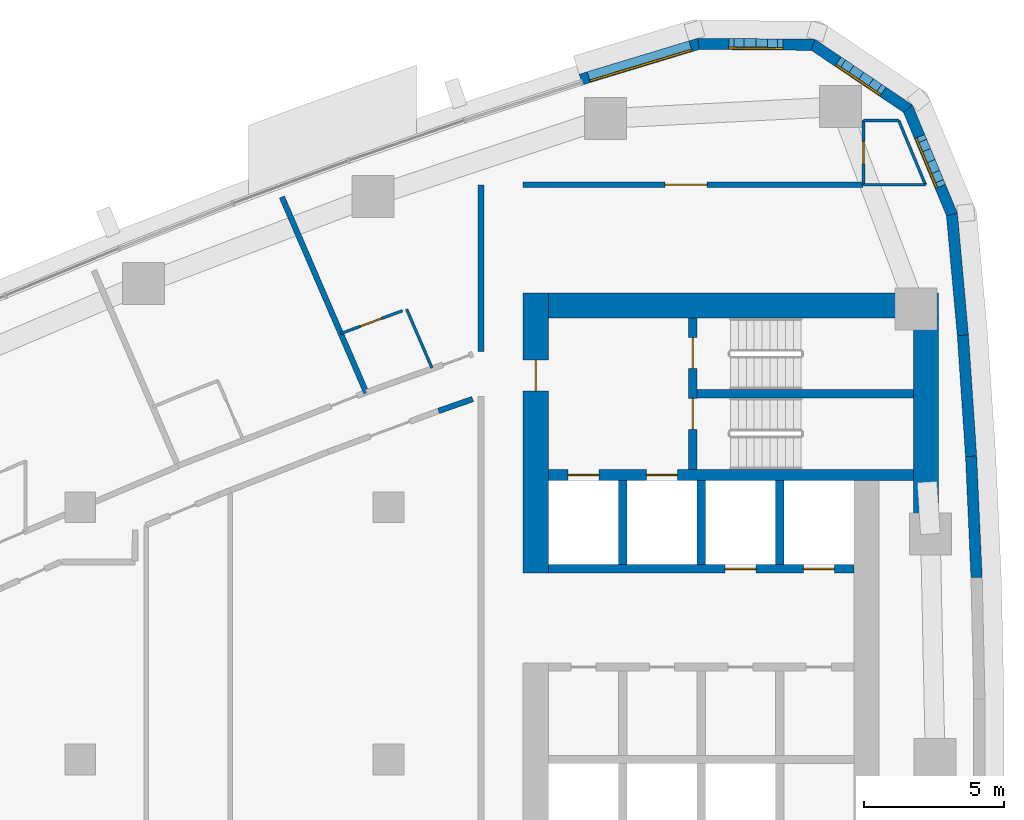
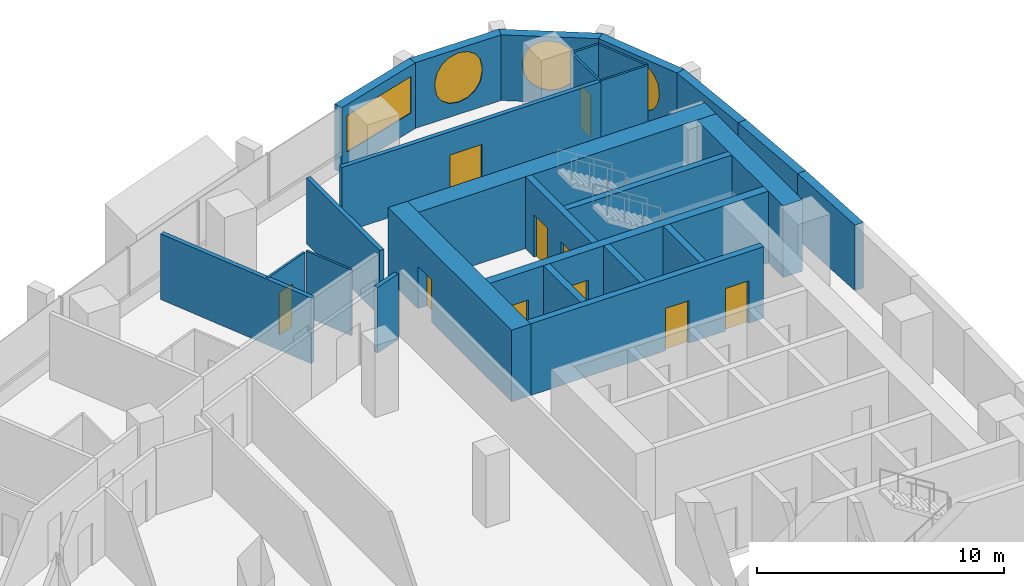
# One storey, part 12 of 17: 27 walls, 10 doors, 4 windows, 14 openings.
"""IFC4 building model written with IfcOpenShell, lengths in metres."""

from ifc_helpers import new_model, si_unit, direction, frame, frame_2d, origin, place, context, subcontext, project, spatial, polyline, rectangle, outline, extrude, material, layer, layer_set, type_object, element, fill, save


model = new_model("IFC4")

# Units and contexts
model_context = context("Model", 3, precision=1e-05, world=origin(), true_north=direction((0.0, 1.0)))
body_context = subcontext(model_context, "Body", "Model", "MODEL_VIEW")
ifc_project = project(units=[si_unit("LENGTHUNIT", "METRE"), si_unit("AREAUNIT", "SQUARE_METRE"), si_unit("VOLUMEUNIT", "CUBIC_METRE"), si_unit("PLANEANGLEUNIT", "RADIAN"), si_unit("MASSUNIT", "GRAM", prefix="KILO")], contexts=[model_context])

# Site, building, storey
site_placement = place(None, origin())
site = spatial("IfcSite", under=ifc_project, at=site_placement, CompositionType="ELEMENT")
building_placement = place(site_placement, origin())
building = spatial("IfcBuilding", under=site, at=building_placement, Name="Ostrand Prow Hotel Tower", CompositionType="ELEMENT")
storey_placement = place(building_placement, frame((0.0, 0.0, 140.85009765625)))
storey = spatial("IfcBuildingStorey", under=building, at=storey_placement, Name="L34", CompositionType="ELEMENT", Elevation=140.85009765625)

# Wall, openings, doors
ifc_material_1 = material(Name="Concrete C70/85", Category="concrete")
ifc_layer_1 = layer(ifc_material_1, 0.300048828125)
ifc_layer_set_1 = layer_set([ifc_layer_1], Name="Concrete C70/85")
wall_type_1 = type_object("IfcWallType", Name="Core wall 300 C70/85", PredefinedType="SHEAR", material=ifc_layer_set_1)
wall_1_placement = place(storey_placement, frame((50.699951171875, 6.800048828125, 0.0), z_axis=(0.0, 0.0, 1.0), x_axis=(1.0, 0.0, 0.0)))
wall_1 = element("IfcWall", 1, at=wall_1_placement, inside=storey, type_object=wall_type_1, Name="Core wall PW-L2-N", PredefinedType="SHEAR", context=body_context, shape_type="SweptSolid", body=[
    extrude(rectangle(XDim=10.900146484375, YDim=0.300048828125, at=frame_2d((5.4501953125, 0.0))), origin(), (0.0, 0.0, 1.0), 3.5498046875),
])
opening_1_placement = place(wall_1_placement, frame((6.300048828125, 0.0, 0.0)))
opening_1 = element("IfcOpeningElement", 2, at=opening_1_placement, cuts=wall_1, Name="Opening LD", PredefinedType="OPENING", context=body_context, shape_type="SweptSolid", body=[
    extrude(rectangle(XDim=1.10009765625, YDim=2.10009765625, at=frame_2d((0.550048828125, 1.050048828125))), frame((0.0, 0.159912109375, 0.0), z_axis=(0.0, -1.0, 0.0), x_axis=(1.0, 0.0, 0.0)), (0.0, 0.0, 1.0), 0.320068359375),
])
opening_2_placement = place(wall_1_placement, frame((9.10009765625, 0.0, 0.0)))
opening_2 = element("IfcOpeningElement", 3, at=opening_2_placement, cuts=wall_1, Name="Opening LD", PredefinedType="OPENING", context=body_context, shape_type="SweptSolid", body=[
    extrude(rectangle(XDim=1.10009765625, YDim=2.10009765625, at=frame_2d((0.550048828125, 1.050048828125))), frame((0.0, 0.159912109375, 0.0), z_axis=(0.0, -1.0, 0.0), x_axis=(1.0, 0.0, 0.0)), (0.0, 0.0, 1.0), 0.320068359375),
])
ifc_material_2 = material(Name="Stainless steel door", Category="steel")
door_type_1 = type_object("IfcDoorType", Name="Lift landing door 1100", OperationType="DOUBLE_DOOR_SLIDING", PredefinedType="DOOR", material=ifc_material_2)
door_1_placement = place(opening_1_placement, origin())
door_1 = element("IfcDoor", 4, at=door_1_placement, inside=storey, type_object=door_type_1, Name="LIFT LANDING DOOR", OperationType="DOUBLE_DOOR_SLIDING", OverallHeight=2.10009765625, OverallWidth=1.10009765625, PredefinedType="DOOR", context=body_context, shape_type="SweptSolid", body=[
    extrude(rectangle(XDim=1.10009765625, YDim=2.10009765625, at=frame_2d((0.550048828125, 1.050048828125))), frame((0.0, 0.02490234375, 0.0), z_axis=(0.0, -1.0, 0.0), x_axis=(1.0, 0.0, 0.0)), (0.0, 0.0, 1.0), 0.050048828125),
])
fill(opening_1, door_1)
door_2_placement = place(opening_2_placement, origin())
door_2 = element("IfcDoor", 5, at=door_2_placement, inside=storey, type_object=door_type_1, Name="LIFT LANDING DOOR", OperationType="DOUBLE_DOOR_SLIDING", OverallHeight=2.10009765625, OverallWidth=1.10009765625, PredefinedType="DOOR", context=body_context, shape_type="SweptSolid", body=[
    extrude(rectangle(XDim=1.10009765625, YDim=2.10009765625, at=frame_2d((0.550048828125, 1.050048828125))), frame((0.0, 0.02490234375, 0.0), z_axis=(0.0, -1.0, 0.0), x_axis=(1.0, 0.0, 0.0)), (0.0, 0.0, 1.0), 0.050048828125),
])
fill(opening_2, door_2)

# Walls
for number, where, z_axis, x_axis, name in (
    (6, (53.35009765625, 6.949951171875, 0.0), (0.0, 0.0, 1.0), (0.0, 1.0, 0.0), "Core wall PW-R1-NA"),
    (7, (56.14990234375, 6.949951171875, 0.0), (0.0, 0.0, 1.0), (0.0, 1.0, 0.0), "Core wall PW-R2-NA"),
    (8, (58.949951171875, 6.949951171875, 0.0), (0.0, 0.0, 1.0), (0.0, 1.0, 0.0), "Core wall PW-R3-NA"),
):
    element("IfcWall", number, at=place(storey_placement, frame(where, z_axis=z_axis, x_axis=x_axis)), inside=storey, type_object=wall_type_1, Name=name, PredefinedType="SHEAR", context=body_context, shape_type="SweptSolid", body=[
        extrude(rectangle(XDim=3.0, YDim=0.300048828125, at=frame_2d((1.5, 0.0))), origin(), (0.0, 0.0, 1.0), 3.5498046875),
    ])

# Wall, openings, doors
wall_2_placement = place(storey_placement, frame((55.85009765625, 10.35009765625, 0.0), z_axis=(0.0, 0.0, 1.0), x_axis=(0.0, 1.0, 0.0)))
wall_2 = element("IfcWall", 9, at=wall_2_placement, inside=storey, type_object=wall_type_1, Name="Core wall PW-VN", PredefinedType="SHEAR", context=body_context, shape_type="SweptSolid", body=[
    extrude(rectangle(XDim=5.39990234375, YDim=0.300048828125, at=frame_2d((2.699951171875, 0.0))), origin(), (0.0, 0.0, 1.0), 3.5498046875),
])
opening_3_placement = place(wall_2_placement, frame((1.429931640625, 0.0, 0.0)))
opening_3 = element("IfcOpeningElement", 10, at=opening_3_placement, cuts=wall_2, Name="Opening FD1", PredefinedType="OPENING", context=body_context, shape_type="SweptSolid", body=[
    extrude(rectangle(XDim=1.10009765625, YDim=2.10009765625, at=frame_2d((0.550048828125, 1.050048828125))), frame((0.0, 0.159912109375, 0.0), z_axis=(0.0, -1.0, 0.0), x_axis=(1.0, 0.0, 0.0)), (0.0, 0.0, 1.0), 0.320068359375),
])
opening_4_placement = place(wall_2_placement, frame((3.60009765625, 0.0, 0.0)))
opening_4 = element("IfcOpeningElement", 11, at=opening_4_placement, cuts=wall_2, Name="Opening FD1", PredefinedType="OPENING", context=body_context, shape_type="SweptSolid", body=[
    extrude(rectangle(XDim=1.10009765625, YDim=2.10009765625, at=frame_2d((0.550048828125, 1.050048828125))), frame((0.0, 0.159912109375, 0.0), z_axis=(0.0, -1.0, 0.0), x_axis=(1.0, 0.0, 0.0)), (0.0, 0.0, 1.0), 0.320068359375),
])
ifc_material_3 = material(Name="Steel fire door", Category="steel")
door_type_2 = type_object("IfcDoorType", Name="Fire door 1100 EI120", OperationType="SINGLE_SWING_RIGHT", PredefinedType="DOOR", material=ifc_material_3)
door_3_placement = place(opening_3_placement, origin())
door_3 = element("IfcDoor", 12, at=door_3_placement, inside=storey, type_object=door_type_2, Name="FIRE DOOR", OperationType="SINGLE_SWING_RIGHT", OverallHeight=2.10009765625, OverallWidth=1.10009765625, PredefinedType="DOOR", context=body_context, shape_type="SweptSolid", body=[
    extrude(rectangle(XDim=1.10009765625, YDim=2.10009765625, at=frame_2d((0.550048828125, 1.050048828125))), frame((0.0, 0.02490234375, 0.0), z_axis=(0.0, -1.0, 0.0), x_axis=(1.0, 0.0, 0.0)), (0.0, 0.0, 1.0), 0.050048828125),
])
fill(opening_3, door_3)
door_4_placement = place(opening_4_placement, origin())
door_4 = element("IfcDoor", 13, at=door_4_placement, inside=storey, type_object=door_type_2, Name="FIRE DOOR", OperationType="SINGLE_SWING_RIGHT", OverallHeight=2.10009765625, OverallWidth=1.10009765625, PredefinedType="DOOR", context=body_context, shape_type="SweptSolid", body=[
    extrude(rectangle(XDim=1.10009765625, YDim=2.10009765625, at=frame_2d((0.550048828125, 1.050048828125))), frame((0.0, 0.02490234375, 0.0), z_axis=(0.0, -1.0, 0.0), x_axis=(1.0, 0.0, 0.0)), (0.0, 0.0, 1.0), 0.050048828125),
])
fill(opening_4, door_4)

# Wall
wall_3_placement = place(storey_placement, frame((56.0, 13.050048828125, 0.0), z_axis=(0.0, 0.0, 1.0), x_axis=(1.0, 0.0, 0.0)))
element("IfcWall", 14, at=wall_3_placement, inside=storey, type_object=wall_type_1, Name="Core wall PW-ST13", PredefinedType="SHEAR", context=body_context, shape_type="SweptSolid", body=[
    extrude(rectangle(XDim=7.719970703125, YDim=0.300048828125, at=frame_2d((3.85986328125, 0.0))), origin(), (0.0, 0.0, 1.0), 3.5498046875),
])

# Wall, openings, doors
ifc_material_4 = material(Name="Concrete C70/85", Category="concrete")
ifc_layer_2 = layer(ifc_material_4, 0.39990234375)
ifc_layer_set_2 = layer_set([ifc_layer_2], Name="Concrete C70/85")
wall_type_2 = type_object("IfcWallType", Name="Core wall 400 C70/85", PredefinedType="SHEAR", material=ifc_layer_set_2)
wall_4_placement = place(storey_placement, frame((50.699951171875, 10.14990234375, 0.0), z_axis=(0.0, 0.0, 1.0), x_axis=(1.0, 0.0, 0.0)))
wall_4 = element("IfcWall", 15, at=wall_4_placement, inside=storey, type_object=wall_type_2, Name="Core wall PW-BN", PredefinedType="SHEAR", context=body_context, shape_type="SweptSolid", body=[
    extrude(rectangle(XDim=13.02001953125, YDim=0.39990234375, at=frame_2d((6.510009765625, 0.0))), origin(), (0.0, 0.0, 1.0), 3.5498046875),
])
opening_5_placement = place(wall_4_placement, frame((0.699951171875, 0.0, 0.0)))
opening_5 = element("IfcOpeningElement", 16, at=opening_5_placement, cuts=wall_4, Name="Opening LD", PredefinedType="OPENING", context=body_context, shape_type="SweptSolid", body=[
    extrude(rectangle(XDim=1.10009765625, YDim=2.10009765625, at=frame_2d((0.550048828125, 1.050048828125))), frame((0.0, 0.2099609375, 0.0), z_axis=(0.0, -1.0, 0.0), x_axis=(1.0, 0.0, 0.0)), (0.0, 0.0, 1.0), 0.419921875),
])
opening_6_placement = place(wall_4_placement, frame((3.5, 0.0, 0.0)))
opening_6 = element("IfcOpeningElement", 17, at=opening_6_placement, cuts=wall_4, Name="Opening LD", PredefinedType="OPENING", context=body_context, shape_type="SweptSolid", body=[
    extrude(rectangle(XDim=1.10009765625, YDim=2.10009765625, at=frame_2d((0.550048828125, 1.050048828125))), frame((0.0, 0.2099609375, 0.0), z_axis=(0.0, -1.0, 0.0), x_axis=(1.0, 0.0, 0.0)), (0.0, 0.0, 1.0), 0.419921875),
])
door_5_placement = place(opening_5_placement, origin())
door_5 = element("IfcDoor", 18, at=door_5_placement, inside=storey, type_object=door_type_1, Name="LIFT LANDING DOOR", OperationType="DOUBLE_DOOR_SLIDING", OverallHeight=2.10009765625, OverallWidth=1.10009765625, PredefinedType="DOOR", context=body_context, shape_type="SweptSolid", body=[
    extrude(rectangle(XDim=1.10009765625, YDim=2.10009765625, at=frame_2d((0.550048828125, 1.050048828125))), frame((0.0, 0.02490234375, 0.0), z_axis=(0.0, -1.0, 0.0), x_axis=(1.0, 0.0, 0.0)), (0.0, 0.0, 1.0), 0.050048828125),
])
fill(opening_5, door_5)
door_6_placement = place(opening_6_placement, origin())
door_6 = element("IfcDoor", 19, at=door_6_placement, inside=storey, type_object=door_type_1, Name="LIFT LANDING DOOR", OperationType="DOUBLE_DOOR_SLIDING", OverallHeight=2.10009765625, OverallWidth=1.10009765625, PredefinedType="DOOR", context=body_context, shape_type="SweptSolid", body=[
    extrude(rectangle(XDim=1.10009765625, YDim=2.10009765625, at=frame_2d((0.550048828125, 1.050048828125))), frame((0.0, 0.02490234375, 0.0), z_axis=(0.0, -1.0, 0.0), x_axis=(1.0, 0.0, 0.0)), (0.0, 0.0, 1.0), 0.050048828125),
])
fill(opening_6, door_6)

# Wall, opening, door
ifc_material_5 = material(Name="Concrete C70/85", Category="concrete")
ifc_layer_3 = layer(ifc_material_5, 0.89990234375)
ifc_layer_set_3 = layer_set([ifc_layer_3], Name="Concrete C70/85")
wall_type_3 = type_object("IfcWallType", Name="Core wall 900 C70/85", PredefinedType="SHEAR", material=ifc_layer_set_3)
wall_5_placement = place(storey_placement, frame((50.25, 6.64990234375, 0.0), z_axis=(0.0, 0.0, 1.0), x_axis=(0.0, 1.0, 0.0)))
wall_5 = element("IfcWall", 20, at=wall_5_placement, inside=storey, type_object=wall_type_3, Name="Core wall CW-W-N", PredefinedType="SHEAR", context=body_context, shape_type="SweptSolid", body=[
    extrude(rectangle(XDim=10.0, YDim=0.89990234375, at=frame_2d((5.0, 0.0))), origin(), (0.0, 0.0, 1.0), 3.5498046875),
])
opening_7_placement = place(wall_5_placement, frame((6.5, 0.0, 0.0)))
opening_7 = element("IfcOpeningElement", 21, at=opening_7_placement, cuts=wall_5, Name="Opening FD1", PredefinedType="OPENING", context=body_context, shape_type="SweptSolid", body=[
    extrude(rectangle(XDim=1.10009765625, YDim=2.10009765625, at=frame_2d((0.550048828125, 1.050048828125))), frame((0.0, 0.4599609375, 0.0), z_axis=(0.0, -1.0, 0.0), x_axis=(1.0, 0.0, 0.0)), (0.0, 0.0, 1.0), 0.919921875),
])
door_7_placement = place(opening_7_placement, origin())
door_7 = element("IfcDoor", 22, at=door_7_placement, inside=storey, type_object=door_type_2, Name="FIRE DOOR", OperationType="SINGLE_SWING_RIGHT", OverallHeight=2.10009765625, OverallWidth=1.10009765625, PredefinedType="DOOR", context=body_context, shape_type="SweptSolid", body=[
    extrude(rectangle(XDim=1.10009765625, YDim=2.10009765625, at=frame_2d((0.550048828125, 1.050048828125))), frame((0.0, 0.02490234375, 0.0), z_axis=(0.0, -1.0, 0.0), x_axis=(1.0, 0.0, 0.0)), (0.0, 0.0, 1.0), 0.050048828125),
])
fill(opening_7, door_7)

# Walls
wall_6_placement = place(storey_placement, frame((50.699951171875, 16.199951171875, 0.0), z_axis=(0.0, 0.0, 1.0), x_axis=(1.0, 0.0, 0.0)))
element("IfcWall", 23, at=wall_6_placement, inside=storey, type_object=wall_type_3, Name="Core wall CW-N", PredefinedType="SHEAR", context=body_context, shape_type="SweptSolid", body=[
    extrude(rectangle(XDim=13.920166015625, YDim=0.89990234375, at=frame_2d((6.9599609375, 0.0))), origin(), (0.0, 0.0, 1.0), 3.5498046875),
])
wall_7_placement = place(storey_placement, frame((64.169921875, 8.74462890625, 0.0), z_axis=(0.0, 0.0, 1.0), x_axis=(0.0, 1.0, 0.0)))
element("IfcWall", 24, at=wall_7_placement, inside=storey, type_object=wall_type_3, Name="Core wall CW-E-N", PredefinedType="SHEAR", context=body_context, shape_type="SweptSolid", body=[
    extrude(rectangle(XDim=7.00537109375, YDim=0.89990234375, at=frame_2d((3.502685546875, 0.0))), origin(), (0.0, 0.0, 1.0), 3.5498046875),
])

# Wall, opening, door
ifc_material_6 = material(Name="Plasterboard partition")
ifc_layer_4 = layer(ifc_material_6, 0.10009765625)
ifc_layer_set_4 = layer_set([ifc_layer_4], Name="Plasterboard partition")
wall_type_4 = type_object("IfcWallType", Name="Partition 100 bathroom wall", PredefinedType="PARTITIONING", material=ifc_layer_set_4)
wall_8_placement = place(storey_placement, frame((61.9375, 20.5, 0.0), z_axis=(0.0, 0.0, 1.0), x_axis=(0.0, 1.0, 0.0)))
wall_8 = element("IfcWall", 25, at=wall_8_placement, inside=storey, type_object=wall_type_4, Name="BATHROOM WALL", PredefinedType="PARTITIONING", context=body_context, shape_type="SweptSolid", body=[
    extrude(rectangle(XDim=2.300048828125, YDim=0.10009765625, at=frame_2d((1.14990234375, 0.0))), origin(), (0.0, 0.0, 1.0), 3.25),
])
opening_8_placement = place(wall_8_placement, frame((0.75, 0.0, 0.0)))
opening_8 = element("IfcOpeningElement", 26, at=opening_8_placement, cuts=wall_8, Name="Opening D2", PredefinedType="OPENING", context=body_context, shape_type="SweptSolid", body=[
    extrude(rectangle(XDim=0.800048828125, YDim=2.10009765625, at=frame_2d((0.39990234375, 1.050048828125))), frame((0.0, 0.06005859375, 0.0), z_axis=(0.0, -1.0, 0.0), x_axis=(1.0, 0.0, 0.0)), (0.0, 0.0, 1.0), 0.1201171875),
])
ifc_material_7 = material(Name="Timber door leaf", Category="wood")
door_type_3 = type_object("IfcDoorType", Name="Bathroom door 800", OperationType="SINGLE_SWING_LEFT", PredefinedType="DOOR", material=ifc_material_7)
door_8_placement = place(opening_8_placement, origin())
door_8 = element("IfcDoor", 27, at=door_8_placement, inside=storey, type_object=door_type_3, Name="DOOR", OperationType="SINGLE_SWING_LEFT", OverallHeight=2.10009765625, OverallWidth=0.800048828125, PredefinedType="DOOR", context=body_context, shape_type="SweptSolid", body=[
    extrude(rectangle(XDim=0.800048828125, YDim=2.10009765625, at=frame_2d((0.39990234375, 1.050048828125))), frame((0.0, 0.02490234375, 0.0), z_axis=(0.0, -1.0, 0.0), x_axis=(1.0, 0.0, 0.0)), (0.0, 0.0, 1.0), 0.050048828125),
])
fill(opening_8, door_8)

# Wall
wall_9_placement = place(storey_placement, frame((61.9375, 22.800048828125, 0.0), z_axis=(0.0, 0.0, 1.0), x_axis=(1.0, 0.0, 0.0)))
element("IfcWall", 28, at=wall_9_placement, inside=storey, type_object=wall_type_4, Name="BATHROOM WALL", PredefinedType="PARTITIONING", context=body_context, shape_type="SweptSolid", body=[
    extrude(rectangle(XDim=1.2607421875, YDim=0.10009765625, at=frame_2d((0.63037109375, 0.0))), origin(), (0.0, 0.0, 1.0), 3.25),
])

# Wall, opening, door
wall_10_placement = place(storey_placement, frame((43.295166015625, 15.195068359375, 0.0), z_axis=(0.0, 0.0, 1.0), x_axis=(0.937739981943, 0.347338057613, 0.0)))
wall_10 = element("IfcWall", 29, at=wall_10_placement, inside=storey, type_object=wall_type_4, Name="BATHROOM WALL", PredefinedType="PARTITIONING", context=body_context, shape_type="SweptSolid", body=[
    extrude(rectangle(XDim=2.348388671875, YDim=0.10009765625, at=frame_2d((1.17431640625, 0.0))), origin(), (0.0, 0.0, 1.0), 3.25),
])
opening_9_placement = place(wall_10_placement, frame((0.75, 0.0, 0.0)))
opening_9 = element("IfcOpeningElement", 30, at=opening_9_placement, cuts=wall_10, Name="Opening D2", PredefinedType="OPENING", context=body_context, shape_type="SweptSolid", body=[
    extrude(rectangle(XDim=0.800048828125, YDim=2.10009765625, at=frame_2d((0.39990234375, 1.050048828125))), frame((0.0, 0.06005859375, 0.0), z_axis=(0.0, -1.0, 0.0), x_axis=(1.0, 0.0, 0.0)), (0.0, 0.0, 1.0), 0.1201171875),
])
door_9_placement = place(opening_9_placement, origin())
door_9 = element("IfcDoor", 31, at=door_9_placement, inside=storey, type_object=door_type_3, Name="DOOR", OperationType="SINGLE_SWING_LEFT", OverallHeight=2.10009765625, OverallWidth=0.800048828125, PredefinedType="DOOR", context=body_context, shape_type="SweptSolid", body=[
    extrude(rectangle(XDim=0.800048828125, YDim=2.10009765625, at=frame_2d((0.39990234375, 1.050048828125))), frame((0.0, 0.02490234375, 0.0), z_axis=(0.0, -1.0, 0.0), x_axis=(1.0, 0.0, 0.0)), (0.0, 0.0, 1.0), 0.050048828125),
])
fill(opening_9, door_9)

# Walls
wall_11_placement = place(storey_placement, frame((45.643798828125, 16.061767578125, 0.0), z_axis=(0.0, 0.0, 1.0), x_axis=(0.395944391694, -0.918274489837, 0.0)))
element("IfcWall", 32, at=wall_11_placement, inside=storey, type_object=wall_type_4, Name="BATHROOM WALL", PredefinedType="PARTITIONING", context=body_context, shape_type="SweptSolid", body=[
    extrude(rectangle(XDim=2.283203125, YDim=0.10009765625, at=frame_2d((1.1416015625, 0.0))), origin(), (0.0, 0.0, 1.0), 3.25),
])
wall_12_placement = place(storey_placement, frame((63.1982421875, 22.800048828125, 0.0), z_axis=(0.0, 0.0, 1.0), x_axis=(0.383855043906, -0.923393364319, 0.0)))
element("IfcWall", 33, at=wall_12_placement, inside=storey, type_object=wall_type_4, Name="BATHROOM WALL", PredefinedType="PARTITIONING", context=body_context, shape_type="SweptSolid", body=[
    extrude(rectangle(XDim=2.485595703125, YDim=0.10009765625, at=frame_2d((1.24267578125, 0.0))), origin(), (0.0, 0.0, 1.0), 3.25),
])
wall_13_placement = place(storey_placement, frame((64.15234375, 20.5048828125, 0.0), z_axis=(0.0, 0.0, 1.0), x_axis=(-1.0, 0.0, 0.0)))
element("IfcWall", 34, at=wall_13_placement, inside=storey, type_object=wall_type_4, Name="BATHROOM WALL", PredefinedType="PARTITIONING", context=body_context, shape_type="SweptSolid", body=[
    extrude(rectangle(XDim=2.21484375, YDim=0.10009765625, at=frame_2d((1.107421875, 0.0))), origin(), (0.0, 0.0, 1.0), 3.25),
])

# Wall, opening, door
ifc_material_8 = material(Name="Plasterboard partition")
ifc_layer_5 = layer(ifc_material_8, 0.199951171875)
ifc_layer_set_5 = layer_set([ifc_layer_5], Name="Plasterboard partition")
wall_type_5 = type_object("IfcWallType", Name="Partition 200 corridor wall", PredefinedType="PARTITIONING", material=ifc_layer_set_5)
wall_14_placement = place(storey_placement, frame((61.9326171875, 20.5048828125, 0.0), z_axis=(0.0, 0.0, 1.0), x_axis=(-1.0, 0.0, 0.0)))
wall_14 = element("IfcWall", 35, at=wall_14_placement, inside=storey, type_object=wall_type_5, Name="CORRIDOR WALL", PredefinedType="PARTITIONING", context=body_context, shape_type="SweptSolid", body=[
    extrude(rectangle(XDim=12.132568359375, YDim=0.199951171875, at=frame_2d((6.06640625, 0.0))), origin(), (0.0, 0.0, 1.0), 3.25),
])
opening_10_placement = place(wall_14_placement, frame((5.56640625, 0.0, 0.0)))
opening_10 = element("IfcOpeningElement", 36, at=opening_10_placement, cuts=wall_14, Name="Opening D15", PredefinedType="OPENING", context=body_context, shape_type="SweptSolid", body=[
    extrude(rectangle(XDim=1.5, YDim=2.10009765625, at=frame_2d((0.75, 1.050048828125))), frame((0.0, 0.10986328125, 0.0), z_axis=(0.0, -1.0, 0.0), x_axis=(1.0, 0.0, 0.0)), (0.0, 0.0, 1.0), 0.219970703125),
])
ifc_material_9 = material(Name="Timber door leaf", Category="wood")
door_type_4 = type_object("IfcDoorType", Name="Double door 1500", OperationType="DOUBLE_DOOR_SINGLE_SWING", PredefinedType="DOOR", material=ifc_material_9)
door_10_placement = place(opening_10_placement, origin())
door_10 = element("IfcDoor", 37, at=door_10_placement, inside=storey, type_object=door_type_4, Name="DOOR", OperationType="DOUBLE_DOOR_SINGLE_SWING", OverallHeight=2.10009765625, OverallWidth=1.5, PredefinedType="DOOR", context=body_context, shape_type="SweptSolid", body=[
    extrude(rectangle(XDim=1.5, YDim=2.10009765625, at=frame_2d((0.75, 1.050048828125))), frame((0.0, 0.02490234375, 0.0), z_axis=(0.0, -1.0, 0.0), x_axis=(1.0, 0.0, 0.0)), (0.0, 0.0, 1.0), 0.050048828125),
])
fill(opening_10, door_10)

# Walls
wall_15_placement = place(storey_placement, frame((46.78125, 12.43408203125, 0.0), z_axis=(0.0, 0.0, 1.0), x_axis=(0.944517215109, 0.328461916152, 0.0)))
element("IfcWall", 38, at=wall_15_placement, inside=storey, type_object=wall_type_5, Name="CORRIDOR WALL", PredefinedType="PARTITIONING", context=body_context, shape_type="SweptSolid", body=[
    extrude(rectangle(XDim=1.290283203125, YDim=0.199951171875, at=frame_2d((0.64501953125, 0.0))), origin(), (0.0, 0.0, 1.0), 3.25),
])
wall_16_placement = place(storey_placement, frame((48.295166015625, 20.5009765625, 0.0), z_axis=(0.0, 0.0, 1.0), x_axis=(-4.1050903e-05, -0.999999999157, 0.0)))
element("IfcWall", 39, at=wall_16_placement, inside=storey, type_object=wall_type_5, Name="CORRIDOR WALL", PredefinedType="PARTITIONING", context=body_context, shape_type="SweptSolid", body=[
    extrude(rectangle(XDim=5.947265625, YDim=0.199951171875, at=frame_2d((2.9736328125, 0.0))), origin(), (0.0, 0.0, 1.0), 3.25),
])
ifc_material_10 = material(Name="Plasterboard partition")
ifc_layer_6 = layer(ifc_material_10, 0.199951171875)
ifc_layer_set_6 = layer_set([ifc_layer_6], Name="Plasterboard partition")
wall_type_6 = type_object("IfcWallType", Name="Partition 200 key partition", PredefinedType="PARTITIONING", material=ifc_layer_set_6)
wall_17_placement = place(storey_placement, frame((44.20703125, 13.080078125, 0.0), z_axis=(0.0, 0.0, 1.0), x_axis=(-0.395981863621, 0.918258331671, 0.0)))
element("IfcWall", 40, at=wall_17_placement, inside=storey, type_object=wall_type_6, Name="KEY PARTITION", PredefinedType="PARTITIONING", context=body_context, shape_type="SweptSolid", body=[
    extrude(rectangle(XDim=7.610595703125, YDim=0.199951171875, at=frame_2d((3.80517578125, 0.0))), origin(), (0.0, 0.0, 1.0), 3.25),
])
ifc_material_11 = material(Name="Precast concrete C40/50", Category="concrete")
ifc_layer_7 = layer(ifc_material_11, 0.39990234375)
ifc_layer_set_7 = layer_set([ifc_layer_7], Name="Precast concrete C40/50")
wall_type_7 = type_object("IfcWallType", Name="Stone-faced precast wall 400 mm", PredefinedType="NOTDEFINED", material=ifc_layer_set_7)
for number, where, z_axis, x_axis, name in (
    (41, (65.977783203125, 6.4921875, 0.0), (0.0, 0.0, 1.0), (-0.045228592312, 0.99897666361, 0.0), "Stone-faced wall back 11"),
    (42, (65.781982421875, 10.81689453125, 0.0), (0.0, 0.0, 1.0), (-0.067731727279, 0.997703569764, 0.0), "Stone-faced wall back 12"),
):
    element("IfcWall", number, at=place(storey_placement, frame(where, z_axis=z_axis, x_axis=x_axis)), inside=storey, type_object=wall_type_7, Name=name, PredefinedType="NOTDEFINED", context=body_context, shape_type="SweptSolid", body=[
        extrude(outline(polyline([(-0.002197265625, -0.199951171875), (4.331298828125, -0.199951171875), (4.326904296875, 0.199951171875), (0.002197265625, 0.199951171875), (-0.002197265625, -0.199951171875)])), origin(), (0.0, 0.0, 1.0), 3.25),
    ])
wall_18_placement = place(storey_placement, frame((65.48876953125, 15.135986328125, 0.0), z_axis=(0.0, 0.0, 1.0), x_axis=(-0.090296735989, 0.995914905737, 0.0)))
element("IfcWall", 43, at=wall_18_placement, inside=storey, type_object=wall_type_7, Name="Stone-faced wall back 13", PredefinedType="NOTDEFINED", context=body_context, shape_type="SweptSolid", body=[
    extrude(outline(polyline([(-0.002197265625, -0.199951171875), (4.359130859375, -0.199951171875), (4.298095703125, 0.199951171875), (0.002197265625, 0.199951171875), (-0.002197265625, -0.199951171875)])), origin(), (0.0, 0.0, 1.0), 3.25),
])

# Wall, opening, window
wall_19_placement = place(storey_placement, frame((65.097900390625, 19.447021484375, 0.0), z_axis=(0.0, 0.0, 1.0), x_axis=(-0.383817293519, 0.923409056267, 0.0)))
wall_19 = element("IfcWall", 44, at=wall_19_placement, inside=storey, type_object=wall_type_7, Name="Stone-faced wall back 14", PredefinedType="NOTDEFINED", context=body_context, shape_type="SweptSolid", body=[
    extrude(outline(polyline([(-0.030517578125, -0.199951171875), (4.14453125, -0.199951171875), (4.02392578125, 0.199951171875), (0.030517578125, 0.199951171875), (-0.030517578125, -0.199951171875)])), origin(), (0.0, 0.0, 1.0), 3.25),
])
opening_11_placement = place(wall_19_placement, frame((0.94189453125, 0.0, 0.60009765625)))
opening_11 = element("IfcOpeningElement", 45, at=opening_11_placement, cuts=wall_19, Name="Opening WP1", PredefinedType="OPENING", context=body_context, shape_type="SweptSolid", body=[
    extrude(outline(polyline([(0.0, 1.35009765625), (0.083740234375, 1.77099609375), (0.322265625, 2.127685546875), (0.678955078125, 2.3662109375), (1.10009765625, 2.449951171875), (1.52099609375, 2.3662109375), (1.877685546875, 2.127685546875), (2.1162109375, 1.77099609375), (2.199951171875, 1.35009765625), (2.199951171875, 1.10009765625), (2.1162109375, 0.678955078125), (1.877685546875, 0.322265625), (1.52099609375, 0.083740234375), (1.10009765625, 0.0), (0.678955078125, 0.083740234375), (0.322265625, 0.322265625), (0.083740234375, 0.678955078125), (0.0, 1.099853515625), (0.0, 1.35009765625)])), frame((0.0, 0.2099609375, 0.0), z_axis=(0.0, -1.0, 0.0), x_axis=(1.0, 0.0, 0.0)), (0.0, 0.0, 1.0), 0.419921875),
])
ifc_material_12 = material(Name="Insulated glass in bronze frame", Category="glass")
window_type_1 = type_object("IfcWindowType", Name="Round-ended prow window 2200x2450", PartitioningType="SINGLE_PANEL", PredefinedType="WINDOW", material=ifc_material_12)
window_1_placement = place(opening_11_placement, origin())
window_1 = element("IfcWindow", 46, at=window_1_placement, inside=storey, type_object=window_type_1, Name="Window back 14.1", OverallHeight=2.449951171875, OverallWidth=2.199951171875, PartitioningType="SINGLE_PANEL", PredefinedType="WINDOW", context=body_context, shape_type="SweptSolid", body=[
    extrude(outline(polyline([(0.0, 1.35009765625), (0.083740234375, 1.77099609375), (0.322265625, 2.127685546875), (0.678955078125, 2.3662109375), (1.10009765625, 2.449951171875), (1.52099609375, 2.3662109375), (1.877685546875, 2.127685546875), (2.1162109375, 1.77099609375), (2.199951171875, 1.35009765625), (2.199951171875, 1.10009765625), (2.1162109375, 0.678955078125), (1.877685546875, 0.322265625), (1.52099609375, 0.083740234375), (1.10009765625, 0.0), (0.678955078125, 0.083740234375), (0.322265625, 0.322265625), (0.083740234375, 0.678955078125), (0.0, 1.099853515625), (0.0, 1.35009765625)])), frame((0.0, 0.169921875, 0.0), z_axis=(0.0, -1.0, 0.0), x_axis=(1.0, 0.0, 0.0)), (0.0, 0.0, 1.0), 0.06005859375),
])
fill(opening_11, window_1)

wall_20_placement = place(storey_placement, frame((63.5302734375, 23.218505859375, 0.0), z_axis=(0.0, 0.0, 1.0), x_axis=(-0.829642062482, 0.558295663749, 0.0)))
wall_20 = element("IfcWall", 47, at=wall_20_placement, inside=storey, type_object=wall_type_7, Name="Stone-faced wall back 15", PredefinedType="NOTDEFINED", context=body_context, shape_type="SweptSolid", body=[
    extrude(outline(polyline([(-0.060302734375, -0.199951171875), (4.144287109375, -0.199951171875), (4.023681640625, 0.199951171875), (0.060302734375, 0.199951171875), (-0.060302734375, -0.199951171875)])), origin(), (0.0, 0.0, 1.0), 3.25),
])
opening_12_placement = place(wall_20_placement, frame((0.94189453125, 0.0, 0.60009765625)))
opening_12 = element("IfcOpeningElement", 48, at=opening_12_placement, cuts=wall_20, Name="Opening WP1", PredefinedType="OPENING", context=body_context, shape_type="SweptSolid", body=[
    extrude(outline(polyline([(0.0, 1.35009765625), (0.083740234375, 1.77099609375), (0.322265625, 2.127685546875), (0.678955078125, 2.3662109375), (1.10009765625, 2.449951171875), (1.52099609375, 2.3662109375), (1.877685546875, 2.127685546875), (2.1162109375, 1.77099609375), (2.199951171875, 1.35009765625), (2.199951171875, 1.10009765625), (2.1162109375, 0.678955078125), (1.877685546875, 0.322265625), (1.52099609375, 0.083740234375), (1.10009765625, 0.0), (0.678955078125, 0.083740234375), (0.322265625, 0.322265625), (0.083740234375, 0.678955078125), (0.0, 1.099853515625), (0.0, 1.35009765625)])), frame((0.0, 0.2099609375, 0.0), z_axis=(0.0, -1.0, 0.0), x_axis=(1.0, 0.0, 0.0)), (0.0, 0.0, 1.0), 0.419921875),
])
window_2_placement = place(opening_12_placement, origin())
window_2 = element("IfcWindow", 49, at=window_2_placement, inside=storey, type_object=window_type_1, Name="Window back 15.1", OverallHeight=2.449951171875, OverallWidth=2.199951171875, PartitioningType="SINGLE_PANEL", PredefinedType="WINDOW", context=body_context, shape_type="SweptSolid", body=[
    extrude(outline(polyline([(0.0, 1.35009765625), (0.083740234375, 1.77099609375), (0.322265625, 2.127685546875), (0.678955078125, 2.3662109375), (1.10009765625, 2.449951171875), (1.52099609375, 2.3662109375), (1.877685546875, 2.127685546875), (2.1162109375, 1.77099609375), (2.199951171875, 1.35009765625), (2.199951171875, 1.10009765625), (2.1162109375, 0.678955078125), (1.877685546875, 0.322265625), (1.52099609375, 0.083740234375), (1.10009765625, 0.0), (0.678955078125, 0.083740234375), (0.322265625, 0.322265625), (0.083740234375, 0.678955078125), (0.0, 1.099853515625), (0.0, 1.35009765625)])), frame((0.0, 0.169921875, 0.0), z_axis=(0.0, -1.0, 0.0), x_axis=(1.0, 0.0, 0.0)), (0.0, 0.0, 1.0), 0.06005859375),
])
fill(opening_12, window_2)

wall_21_placement = place(storey_placement, frame((60.14208984375, 25.49853515625, 0.0), z_axis=(0.0, 0.0, 1.0), x_axis=(-0.99996933771, 0.007830941131, 0.0)))
wall_21 = element("IfcWall", 50, at=wall_21_placement, inside=storey, type_object=wall_type_7, Name="Stone-faced wall back 16", PredefinedType="NOTDEFINED", context=body_context, shape_type="SweptSolid", body=[
    extrude(outline(polyline([(-0.060302734375, -0.199951171875), (4.11474609375, -0.199951171875), (4.0537109375, 0.199951171875), (0.060302734375, 0.199951171875), (-0.060302734375, -0.199951171875)])), origin(), (0.0, 0.0, 1.0), 3.25),
])
opening_13_placement = place(wall_21_placement, frame((0.94189453125, 0.0, 0.60009765625)))
opening_13 = element("IfcOpeningElement", 51, at=opening_13_placement, cuts=wall_21, Name="Opening WP1", PredefinedType="OPENING", context=body_context, shape_type="SweptSolid", body=[
    extrude(outline(polyline([(0.0, 1.35009765625), (0.083740234375, 1.77099609375), (0.322265625, 2.127685546875), (0.678955078125, 2.3662109375), (1.10009765625, 2.449951171875), (1.52099609375, 2.3662109375), (1.877685546875, 2.127685546875), (2.1162109375, 1.77099609375), (2.199951171875, 1.35009765625), (2.199951171875, 1.10009765625), (2.1162109375, 0.678955078125), (1.877685546875, 0.322265625), (1.52099609375, 0.083740234375), (1.10009765625, 0.0), (0.678955078125, 0.083740234375), (0.322265625, 0.322265625), (0.083740234375, 0.678955078125), (0.0, 1.099853515625), (0.0, 1.35009765625)])), frame((0.0, 0.2099609375, 0.0), z_axis=(0.0, -1.0, 0.0), x_axis=(1.0, 0.0, 0.0)), (0.0, 0.0, 1.0), 0.419921875),
])
window_3_placement = place(opening_13_placement, origin())
window_3 = element("IfcWindow", 52, at=window_3_placement, inside=storey, type_object=window_type_1, Name="Window back 16.1", OverallHeight=2.449951171875, OverallWidth=2.199951171875, PartitioningType="SINGLE_PANEL", PredefinedType="WINDOW", context=body_context, shape_type="SweptSolid", body=[
    extrude(outline(polyline([(0.0, 1.35009765625), (0.083740234375, 1.77099609375), (0.322265625, 2.127685546875), (0.678955078125, 2.3662109375), (1.10009765625, 2.449951171875), (1.52099609375, 2.3662109375), (1.877685546875, 2.127685546875), (2.1162109375, 1.77099609375), (2.199951171875, 1.35009765625), (2.199951171875, 1.10009765625), (2.1162109375, 0.678955078125), (1.877685546875, 0.322265625), (1.52099609375, 0.083740234375), (1.10009765625, 0.0), (0.678955078125, 0.083740234375), (0.322265625, 0.322265625), (0.083740234375, 0.678955078125), (0.0, 1.099853515625), (0.0, 1.35009765625)])), frame((0.0, 0.169921875, 0.0), z_axis=(0.0, -1.0, 0.0), x_axis=(1.0, 0.0, 0.0)), (0.0, 0.0, 1.0), 0.06005859375),
])
fill(opening_13, window_3)

wall_22_placement = place(storey_placement, frame((56.05810546875, 25.530517578125, 0.0), z_axis=(0.0, 0.0, 1.0), x_axis=(-0.956964488344, -0.290205044837, 0.0)))
wall_22 = element("IfcWall", 53, at=wall_22_placement, inside=storey, type_object=wall_type_7, Name="Stone-faced wall back 17", PredefinedType="NOTDEFINED", context=body_context, shape_type="SweptSolid", body=[
    extrude(outline(polyline([(-0.030517578125, -0.199951171875), (4.387939453125, -0.199951171875), (4.387939453125, 0.199951171875), (0.030517578125, 0.199951171875), (-0.030517578125, -0.199951171875)])), origin(), (0.0, 0.0, 1.0), 3.25),
])
opening_14_placement = place(wall_22_placement, frame((0.2939453125, 0.0, 0.89990234375)))
opening_14 = element("IfcOpeningElement", 54, at=opening_14_placement, cuts=wall_22, Name="Opening WS3-38", PredefinedType="OPENING", context=body_context, shape_type="SweptSolid", body=[
    extrude(rectangle(XDim=3.800048828125, YDim=1.800048828125, at=frame_2d((1.89990234375, 0.89990234375))), frame((0.0, 0.2099609375, 0.0), z_axis=(0.0, -1.0, 0.0), x_axis=(1.0, 0.0, 0.0)), (0.0, 0.0, 1.0), 0.419921875),
])
ifc_material_13 = material(Name="Insulated glass in bronze frame", Category="glass")
window_type_2 = type_object("IfcWindowType", Name="Strip window 3800x1800", PartitioningType="SINGLE_PANEL", PredefinedType="WINDOW", material=ifc_material_13)
window_4_placement = place(opening_14_placement, origin())
window_4 = element("IfcWindow", 55, at=window_4_placement, inside=storey, type_object=window_type_2, Name="Window back 17.1", OverallHeight=1.800048828125, OverallWidth=3.800048828125, PartitioningType="SINGLE_PANEL", PredefinedType="WINDOW", context=body_context, shape_type="SweptSolid", body=[
    extrude(rectangle(XDim=3.800048828125, YDim=1.800048828125, at=frame_2d((1.89990234375, 0.89990234375))), frame((0.0, 0.169921875, 0.0), z_axis=(0.0, -1.0, 0.0), x_axis=(1.0, 0.0, 0.0)), (0.0, 0.0, 1.0), 0.06005859375),
])
fill(opening_14, window_4)

save(model, "model.ifc")
